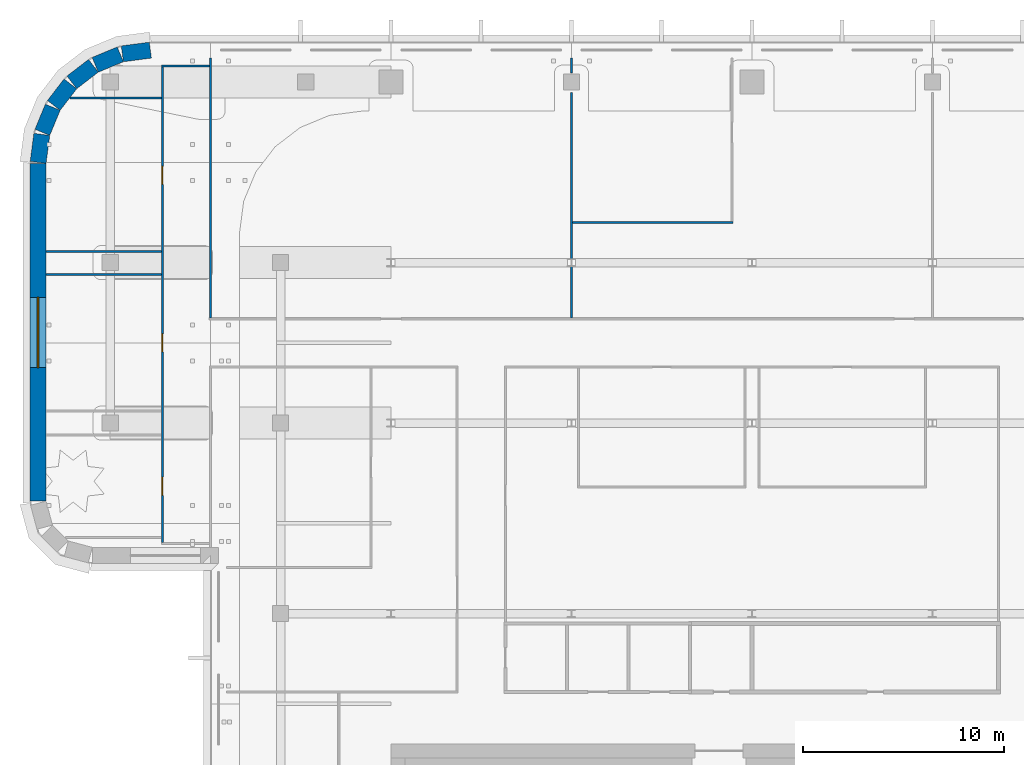
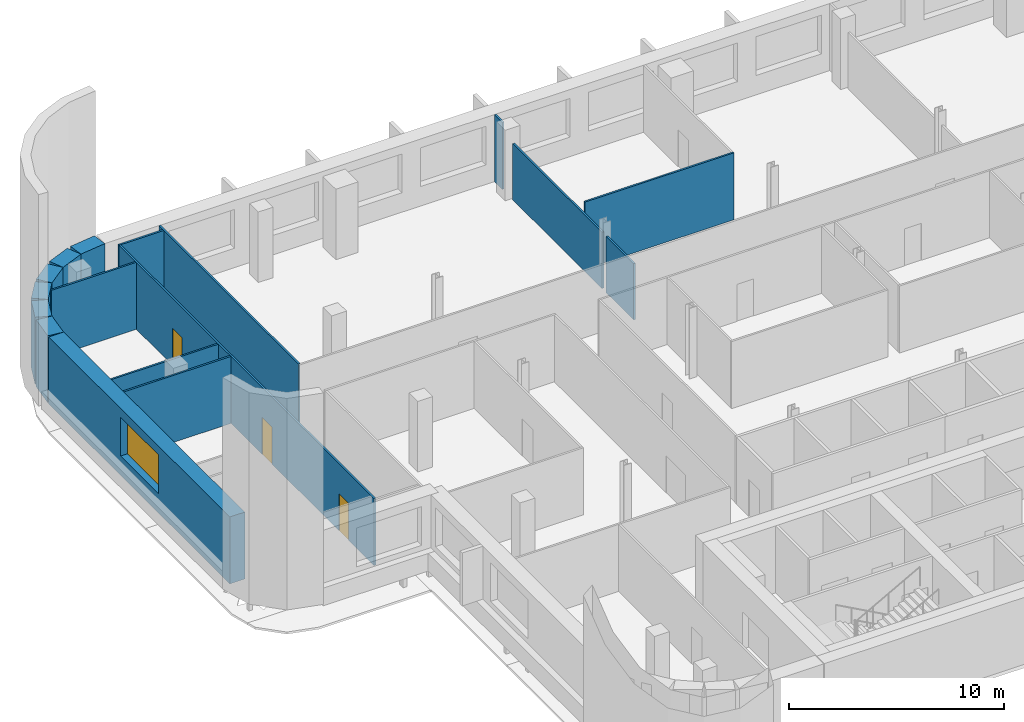
# One storey, part 9 of 19: 17 walls, 3 doors, 1 window, 4 openings.
"""IFC4 building model written with IfcOpenShell, lengths in metres."""

from ifc_helpers import new_model, si_unit, direction, frame, frame_2d, origin, place, context, subcontext, project, spatial, rectangle, extrude, material, layer, layer_set, type_object, element, fill, save


model = new_model("IFC4")

# Units and contexts
model_context = context("Model", 3, precision=1e-05, world=origin(), true_north=direction((0.0, 1.0)))
body_context = subcontext(model_context, "Body", "Model", "MODEL_VIEW")
ifc_project = project(units=[si_unit("LENGTHUNIT", "METRE"), si_unit("AREAUNIT", "SQUARE_METRE"), si_unit("VOLUMEUNIT", "CUBIC_METRE"), si_unit("PLANEANGLEUNIT", "RADIAN"), si_unit("MASSUNIT", "GRAM", prefix="KILO")], contexts=[model_context])

# Site, building, storey
site_placement = place(None, origin())
site = spatial("IfcSite", under=ifc_project, at=site_placement, CompositionType="ELEMENT")
building_placement = place(site_placement, origin())
building = spatial("IfcBuilding", under=site, at=building_placement, Name="Zellij Exchange Tower", CompositionType="ELEMENT")
storey_placement = place(building_placement, frame((0.0, 0.0, 220.5)))
storey = spatial("IfcBuildingStorey", under=building, at=storey_placement, Name="L51", CompositionType="ELEMENT", Elevation=220.5)

# Walls
ifc_material_1 = material(Name="Precast concrete C40/50", Category="concrete")
ifc_layer_1 = layer(ifc_material_1, 0.800048828125)
ifc_layer_set_1 = layer_set([ifc_layer_1], Name="Precast concrete C40/50")
wall_type_1 = type_object("IfcWallType", Name="ENV-EW1 Precast stone-piered wall 800", PredefinedType="SOLIDWALL", material=ifc_layer_set_1)
wall_1_placement = place(storey_placement, frame((-38.999755859375, 32.5966796875, 0.0), z_axis=(0.0, 0.0, 1.0), x_axis=(-0.99144603414, -0.130517283865, 0.0)))
element("IfcWall", 1, at=wall_1_placement, inside=storey, type_object=wall_type_1, Name="fac.L51.15", PredefinedType="SOLIDWALL", context=body_context, shape_type="SweptSolid", body=[
    extrude(rectangle(XDim=1.408447265625, YDim=0.800048828125, at=frame_2d((0.7041015625, 0.0))), origin(), (0.0, 0.0, 1.0), 3.800048828125),
])
wall_2_placement = place(storey_placement, frame((-40.497314453125, 32.3857421875, 0.0), z_axis=(0.0, 0.0, 1.0), x_axis=(-0.923847774587, -0.38276009378, 0.0)))
element("IfcWall", 2, at=wall_2_placement, inside=storey, type_object=wall_type_1, Name="fac.L51.16", PredefinedType="SOLIDWALL", context=body_context, shape_type="SweptSolid", body=[
    extrude(rectangle(XDim=1.35546875, YDim=0.800048828125, at=frame_2d((0.677734375, 0.0))), origin(), (0.0, 0.0, 1.0), 3.800048828125),
])
for number, where, z_axis, x_axis, name in (
    (3, (-41.840087890625, 31.814697265625, 0.0), (0.0, 0.0, 1.0), (-0.793272915452, -0.608866226366, 0.0), "fac.L51.17"),
    (4, (-42.9892578125, 30.91552734375, 0.0), (0.0, 0.0, 1.0), (-0.608866226366, -0.793272915452, 0.0), "fac.L51.18"),
):
    element("IfcWall", number, at=place(storey_placement, frame(where, z_axis=z_axis, x_axis=x_axis)), inside=storey, type_object=wall_type_1, Name=name, PredefinedType="SOLIDWALL", context=body_context, shape_type="SweptSolid", body=[
        extrude(rectangle(XDim=1.355712890625, YDim=0.800048828125, at=frame_2d((0.677734375, 0.0))), origin(), (0.0, 0.0, 1.0), 3.800048828125),
    ])
wall_3_placement = place(storey_placement, frame((-43.866943359375, 29.74951171875, 0.0), z_axis=(0.0, 0.0, 1.0), x_axis=(-0.38276009378, -0.923847774587, 0.0)))
element("IfcWall", 5, at=wall_3_placement, inside=storey, type_object=wall_type_1, Name="fac.L51.19", PredefinedType="SOLIDWALL", context=body_context, shape_type="SweptSolid", body=[
    extrude(rectangle(XDim=1.35546875, YDim=0.800048828125, at=frame_2d((0.677734375, 0.0))), origin(), (0.0, 0.0, 1.0), 3.800048828125),
])
wall_4_placement = place(storey_placement, frame((-44.412841796875, 28.396240234375, 0.0), z_axis=(0.0, 0.0, 1.0), x_axis=(-0.130517283865, -0.99144603414, 0.0)))
element("IfcWall", 6, at=wall_4_placement, inside=storey, type_object=wall_type_1, Name="fac.L51.20", PredefinedType="SOLIDWALL", context=body_context, shape_type="SweptSolid", body=[
    extrude(rectangle(XDim=1.408447265625, YDim=0.800048828125, at=frame_2d((0.7041015625, 0.0))), origin(), (0.0, 0.0, 1.0), 3.800048828125),
])

# Wall, opening, window
wall_5_placement = place(storey_placement, frame((-44.60009765625, 26.947509765625, 0.0), z_axis=(0.0, 0.0, 1.0), x_axis=(0.0, -1.0, 0.0)))
wall_5 = element("IfcWall", 7, at=wall_5_placement, inside=storey, type_object=wall_type_1, Name="fac.L51.21", PredefinedType="SOLIDWALL", context=body_context, shape_type="SweptSolid", body=[
    extrude(rectangle(XDim=16.842041015625, YDim=0.800048828125, at=frame_2d((8.4208984375, 0.0))), origin(), (0.0, 0.0, 1.0), 3.800048828125),
])
opening_1_placement = place(wall_5_placement, frame((6.684326171875, 0.0, 1.10009765625)))
opening_1 = element("IfcOpeningElement", 8, at=opening_1_placement, cuts=wall_5, Name="Opening FZ4.20", PredefinedType="OPENING", context=body_context, shape_type="SweptSolid", body=[
    extrude(rectangle(XDim=3.5, YDim=2.199951171875, at=frame_2d((1.75, 1.10009765625))), frame((0.0, 0.412109375, 0.0), z_axis=(0.0, -1.0, 0.0), x_axis=(1.0, 0.0, 0.0)), (0.0, 0.0, 1.0), 0.823974609375),
])
ifc_material_2 = material(Name="Aluminium frame with insulating glass", Category="aluminium")
window_type = type_object("IfcWindowType", Name="ENV-W7 Window 3500x2200", PartitioningType="SINGLE_PANEL", PredefinedType="WINDOW", material=ifc_material_2)
window_placement = place(opening_1_placement, origin())
window = element("IfcWindow", 9, at=window_placement, inside=storey, type_object=window_type, Name="Window FZ4.20", OverallHeight=2.199951171875, OverallWidth=3.5, PartitioningType="SINGLE_PANEL", PredefinedType="WINDOW", context=body_context, shape_type="SweptSolid", body=[
    extrude(rectangle(XDim=3.5, YDim=2.199951171875, at=frame_2d((1.75, 1.10009765625))), frame((0.0, 0.030029296875, 0.0), z_axis=(0.0, -1.0, 0.0), x_axis=(1.0, 0.0, 0.0)), (0.0, 0.0, 1.0), 0.06005859375),
])
fill(opening_1, window)

# Wall, openings, doors
ifc_material_3 = material(Name="Gypsum board partition on steel studs", Category="steel")
ifc_layer_2 = layer(ifc_material_3, 0.10009765625)
ifc_layer_set_2 = layer_set([ifc_layer_2], Name="Gypsum board partition on steel studs")
wall_type_2 = type_object("IfcWallType", Name="FIT-PARTITION-100", PredefinedType="PARTITIONING", material=ifc_layer_set_2)
wall_6_placement = place(storey_placement, frame((-38.39990234375, 8.050048828125, 0.0), z_axis=(0.0, 0.0, 1.0), x_axis=(0.0, 1.0, 0.0)))
wall_6 = element("IfcWall", 10, at=wall_6_placement, inside=storey, type_object=wall_type_2, Name="FIT-PARTITION-100 035", PredefinedType="PARTITIONING", context=body_context, shape_type="SweptSolid", body=[
    extrude(rectangle(XDim=23.699951171875, YDim=0.10009765625, at=frame_2d((11.85009765625, 0.0))), origin(), (0.0, 0.0, 1.0), 3.800048828125),
])
opening_2_placement = place(wall_6_placement, frame((2.35009765625, 0.0, 0.0)))
opening_2 = element("IfcOpeningElement", 11, at=opening_2_placement, cuts=wall_6, Name="Opening O4A.16", PredefinedType="OPENING", context=body_context, shape_type="SweptSolid", body=[
    extrude(rectangle(XDim=0.89990234375, YDim=2.10009765625, at=frame_2d((0.449951171875, 1.050048828125))), frame((0.0, 0.06201171875, 0.0), z_axis=(0.0, -1.0, 0.0), x_axis=(1.0, 0.0, 0.0)), (0.0, 0.0, 1.0), 0.1240234375),
])
opening_3_placement = place(wall_6_placement, frame((9.5, 0.0, 0.0)))
opening_3 = element("IfcOpeningElement", 12, at=opening_3_placement, cuts=wall_6, Name="Opening O4A.24", PredefinedType="OPENING", context=body_context, shape_type="SweptSolid", body=[
    extrude(rectangle(XDim=0.89990234375, YDim=2.10009765625, at=frame_2d((0.449951171875, 1.050048828125))), frame((0.0, 0.06201171875, 0.0), z_axis=(0.0, -1.0, 0.0), x_axis=(1.0, 0.0, 0.0)), (0.0, 0.0, 1.0), 0.1240234375),
])
opening_4_placement = place(wall_6_placement, frame((17.85009765625, 0.0, 0.0)))
opening_4 = element("IfcOpeningElement", 13, at=opening_4_placement, cuts=wall_6, Name="Opening O4A.29", PredefinedType="OPENING", context=body_context, shape_type="SweptSolid", body=[
    extrude(rectangle(XDim=0.89990234375, YDim=2.10009765625, at=frame_2d((0.449951171875, 1.050048828125))), frame((0.0, 0.06201171875, 0.0), z_axis=(0.0, -1.0, 0.0), x_axis=(1.0, 0.0, 0.0)), (0.0, 0.0, 1.0), 0.1240234375),
])
ifc_material_4 = material(Name="Timber door set", Category="wood")
door_type = type_object("IfcDoorType", Name="FIT-D1-ROOM-900X2100", OperationType="SINGLE_SWING_LEFT", PredefinedType="DOOR", material=ifc_material_4)
door_1_placement = place(opening_2_placement, origin())
door_1 = element("IfcDoor", 14, at=door_1_placement, inside=storey, type_object=door_type, Name="Door O4A.16", OperationType="SINGLE_SWING_RIGHT", OverallHeight=2.10009765625, OverallWidth=0.89990234375, PredefinedType="DOOR", context=body_context, shape_type="SweptSolid", body=[
    extrude(rectangle(XDim=0.89990234375, YDim=2.10009765625, at=frame_2d((0.449951171875, 1.050048828125))), frame((0.0, 0.02490234375, 0.0), z_axis=(0.0, -1.0, 0.0), x_axis=(1.0, 0.0, 0.0)), (0.0, 0.0, 1.0), 0.050048828125),
])
fill(opening_2, door_1)
door_2_placement = place(opening_3_placement, origin())
door_2 = element("IfcDoor", 15, at=door_2_placement, inside=storey, type_object=door_type, Name="Door O4A.24", OperationType="SINGLE_SWING_LEFT", OverallHeight=2.10009765625, OverallWidth=0.89990234375, PredefinedType="DOOR", context=body_context, shape_type="SweptSolid", body=[
    extrude(rectangle(XDim=0.89990234375, YDim=2.10009765625, at=frame_2d((0.449951171875, 1.050048828125))), frame((0.0, 0.02490234375, 0.0), z_axis=(0.0, -1.0, 0.0), x_axis=(1.0, 0.0, 0.0)), (0.0, 0.0, 1.0), 0.050048828125),
])
fill(opening_3, door_2)
door_3_placement = place(opening_4_placement, origin())
door_3 = element("IfcDoor", 16, at=door_3_placement, inside=storey, type_object=door_type, Name="Door O4A.29", OperationType="SINGLE_SWING_RIGHT", OverallHeight=2.10009765625, OverallWidth=0.89990234375, PredefinedType="DOOR", context=body_context, shape_type="SweptSolid", body=[
    extrude(rectangle(XDim=0.89990234375, YDim=2.10009765625, at=frame_2d((0.449951171875, 1.050048828125))), frame((0.0, 0.02490234375, 0.0), z_axis=(0.0, -1.0, 0.0), x_axis=(1.0, 0.0, 0.0)), (0.0, 0.0, 1.0), 0.050048828125),
])
fill(opening_4, door_3)

# Walls
wall_7_placement = place(storey_placement, frame((-36.0, 19.25, 0.0), z_axis=(0.0, 0.0, 1.0), x_axis=(0.0, 1.0, 0.0)))
element("IfcWall", 17, at=wall_7_placement, inside=storey, type_object=wall_type_2, Name="FIT-PARTITION-100 059", PredefinedType="PARTITIONING", context=body_context, shape_type="SweptSolid", body=[
    extrude(rectangle(XDim=12.949951171875, YDim=0.10009765625, at=frame_2d((6.47509765625, 0.0))), origin(), (0.0, 0.0, 1.0), 3.800048828125),
])
wall_8_placement = place(storey_placement, frame((-18.0, 19.25, 0.0), z_axis=(0.0, 0.0, 1.0), x_axis=(0.0, 1.0, 0.0)))
element("IfcWall", 18, at=wall_8_placement, inside=storey, type_object=wall_type_2, Name="FIT-PARTITION-100 060", PredefinedType="PARTITIONING", context=body_context, shape_type="SweptSolid", body=[
    extrude(rectangle(XDim=2.556884765625, YDim=0.10009765625, at=frame_2d((1.2783203125, 0.0))), origin(), (0.0, 0.0, 1.0), 3.19287109375),
])
wall_9_placement = place(storey_placement, frame((-18.0, 22.193115234375, 0.0), z_axis=(0.0, 0.0, 1.0), x_axis=(0.0, 1.0, 0.0)))
element("IfcWall", 19, at=wall_9_placement, inside=storey, type_object=wall_type_2, Name="FIT-PARTITION-100 061", PredefinedType="PARTITIONING", context=body_context, shape_type="SweptSolid", body=[
    extrude(rectangle(XDim=8.296875, YDim=0.10009765625, at=frame_2d((4.1484375, 0.0))), origin(), (0.0, 0.0, 1.0), 3.19287109375),
])
for number, where, z_axis, x_axis, name in (
    (20, (-44.199951171875, 21.39990234375, 0.0), (0.0, 0.0, 1.0), (1.0, 0.0, 0.0), "FIT-PARTITION-100 066"),
    (21, (-44.199951171875, 22.550048828125, 0.0), (0.0, 0.0, 1.0), (1.0, 0.0, 0.0), "FIT-PARTITION-100 067"),
):
    element("IfcWall", number, at=place(storey_placement, frame(where, z_axis=z_axis, x_axis=x_axis)), inside=storey, type_object=wall_type_2, Name=name, PredefinedType="PARTITIONING", context=body_context, shape_type="SweptSolid", body=[
        extrude(rectangle(XDim=5.75, YDim=0.10009765625, at=frame_2d((2.875, 0.0))), origin(), (0.0, 0.0, 1.0), 3.800048828125),
    ])
wall_10_placement = place(storey_placement, frame((-17.949951171875, 24.0, 0.0), z_axis=(0.0, 0.0, 1.0), x_axis=(1.0, 0.0, 0.0)))
element("IfcWall", 22, at=wall_10_placement, inside=storey, type_object=wall_type_2, Name="FIT-PARTITION-100 068", PredefinedType="PARTITIONING", context=body_context, shape_type="SweptSolid", body=[
    extrude(rectangle(XDim=8.0, YDim=0.10009765625, at=frame_2d((4.0, 0.0))), origin(), (0.0, 0.0, 1.0), 3.800048828125),
])
wall_11_placement = place(storey_placement, frame((-43.0, 30.199951171875, 0.0), z_axis=(0.0, 0.0, 1.0), x_axis=(1.0, 0.0, 0.0)))
element("IfcWall", 23, at=wall_11_placement, inside=storey, type_object=wall_type_2, Name="FIT-PARTITION-100 072", PredefinedType="PARTITIONING", context=body_context, shape_type="SweptSolid", body=[
    extrude(rectangle(XDim=4.550048828125, YDim=0.10009765625, at=frame_2d((2.27490234375, 0.0))), origin(), (0.0, 0.0, 1.0), 3.800048828125),
])
wall_12_placement = place(storey_placement, frame((-18.0, 31.4599609375, 0.0), z_axis=(0.0, 0.0, 1.0), x_axis=(0.0, 1.0, 0.0)))
element("IfcWall", 24, at=wall_12_placement, inside=storey, type_object=wall_type_2, Name="FIT-PARTITION-100 073", PredefinedType="PARTITIONING", context=body_context, shape_type="SweptSolid", body=[
    extrude(rectangle(XDim=0.739990234375, YDim=0.10009765625, at=frame_2d((0.3701171875, 0.0))), origin(), (0.0, 0.0, 1.0), 3.800048828125),
])
wall_13_placement = place(storey_placement, frame((-38.449951171875, 31.800048828125, 0.0), z_axis=(0.0, 0.0, 1.0), x_axis=(1.0, 0.0, 0.0)))
element("IfcWall", 25, at=wall_13_placement, inside=storey, type_object=wall_type_2, Name="FIT-PARTITION-100 076", PredefinedType="PARTITIONING", context=body_context, shape_type="SweptSolid", body=[
    extrude(rectangle(XDim=2.39990234375, YDim=0.10009765625, at=frame_2d((1.199951171875, 0.0))), origin(), (0.0, 0.0, 1.0), 3.800048828125),
])

save(model, "model.ifc")
